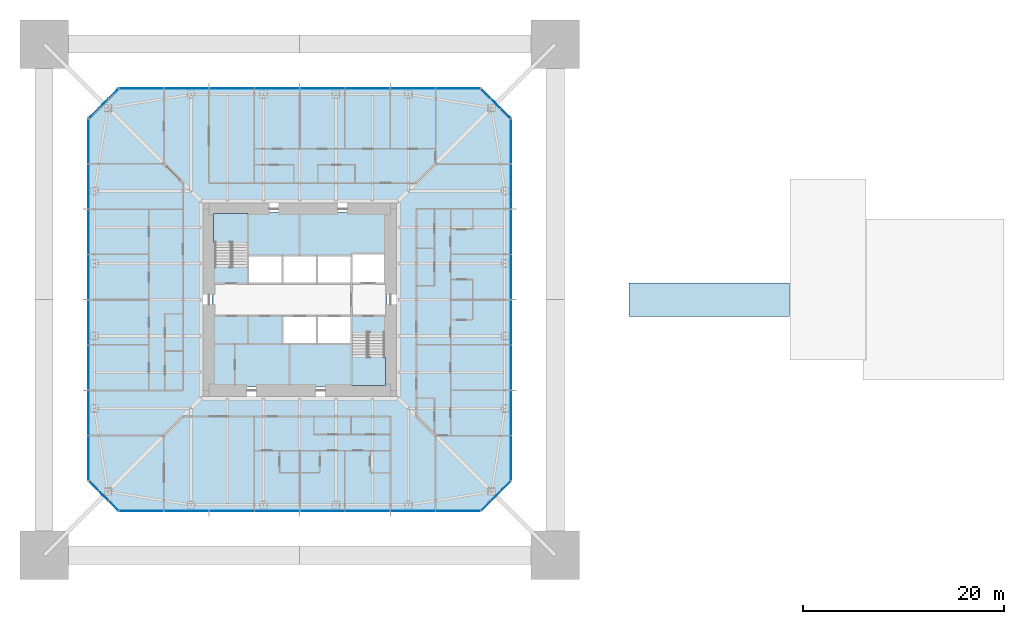
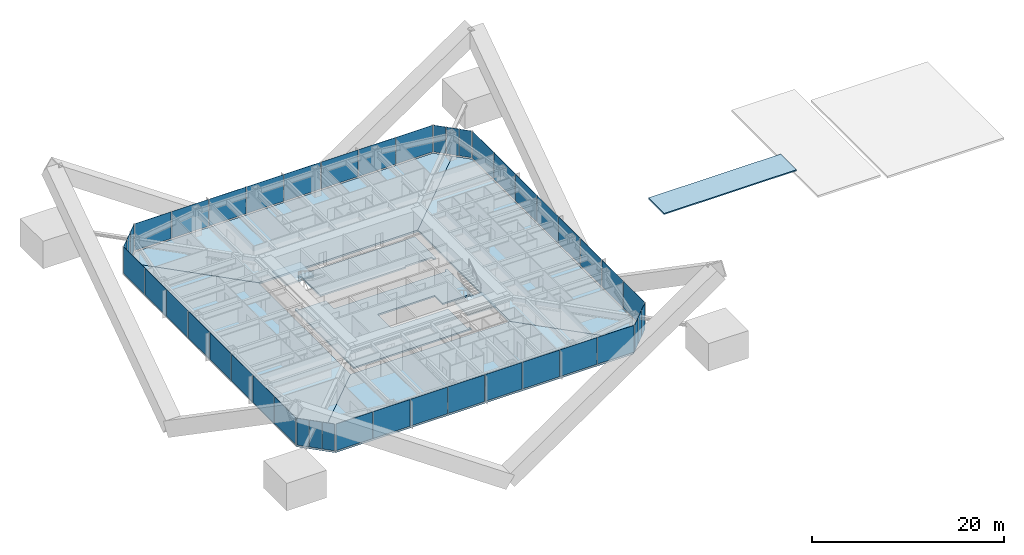
# One storey, part 8 of 17: 44 plates, 9 slabs, 10 elements without a shape of their own.
"""IFC4 building model written with IfcOpenShell, lengths in metres."""

from ifc_helpers import new_model, si_unit, direction, frame, origin, origin_2d, place, context, subcontext, project, spatial, polyline, rectangle, outline, extrude, material, layer, layer_set, constituent, constituent_set, type_object, element, aggregate, save


model = new_model("IFC4")

# Units and contexts
model_context = context("Model", 3, precision=1e-05, world=origin(), true_north=direction((0.0, 1.0)))
body_context = subcontext(model_context, "Body", "Model", "MODEL_VIEW")
ifc_project = project(units=[si_unit("LENGTHUNIT", "METRE"), si_unit("AREAUNIT", "SQUARE_METRE"), si_unit("VOLUMEUNIT", "CUBIC_METRE"), si_unit("PLANEANGLEUNIT", "RADIAN"), si_unit("MASSUNIT", "GRAM", prefix="KILO")], contexts=[model_context])

# Site, building, storey
site_placement = place(None, origin())
site = spatial("IfcSite", under=ifc_project, at=site_placement, CompositionType="ELEMENT")
building_placement = place(site_placement, origin())
building = spatial("IfcBuilding", under=site, at=building_placement, Name="Iwan Alto Co-Living Towers", CompositionType="ELEMENT")
storey_placement = place(building_placement, frame((0.0, 0.0, 133.0)))
storey = spatial("IfcBuildingStorey", under=building, at=storey_placement, Name="L36", CompositionType="ELEMENT", Elevation=133.0)

# Slabs
ifc_material_1 = material(Name="Concrete f'c 30 MPa", Category="concrete")
ifc_layer_1 = layer(ifc_material_1, 0.14990234375)
ifc_layer_set_1 = layer_set([ifc_layer_1], Name="BRIDGE ROOF SLAB 150")
slab_type_1 = type_object("IfcSlabType", Name="BRIDGE ROOF SLAB 150", PredefinedType="ROOF", material=ifc_layer_set_1)
slab_1_placement = place(storey_placement, frame((0.0, 0.0, 0.653564453125)))
element("IfcSlab", 1, at=slab_1_placement, inside=storey, type_object=slab_type_1, Name="Skybridge BR2 roof", PredefinedType="ROOF", context=body_context, shape_type="SweptSolid", body=[
    extrude(outline(polyline([(32.75, -1.64990234375), (48.699951171875, -1.64990234375), (48.699951171875, 1.64990234375), (32.75, 1.64990234375), (32.75, -1.64990234375)])), origin(), (0.0, 0.0, 1.0), 0.150146484375),
])
ifc_material_2 = material(Name="Concrete f'c 30 MPa", Category="concrete")
ifc_layer_2 = layer(ifc_material_2, 0.199951171875)
ifc_layer_set_2 = layer_set([ifc_layer_2], Name="CORE FLOOR SLAB 200")
slab_type_2 = type_object("IfcSlabType", Name="CORE FLOOR SLAB 200", PredefinedType="FLOOR", material=ifc_layer_set_2)
slab_2_placement = place(storey_placement, frame((0.0, 0.0, -0.199951171875)))
element("IfcSlab", 2, at=slab_2_placement, inside=storey, type_object=slab_type_2, Name="T1 core floor L36", PredefinedType="FLOOR", context=body_context, shape_type="SweptSolid", body=[
    extrude(outline(polyline([(5.14990234375, -1.60009765625), (1.72509765625, -1.60009765625), (-1.699951171875, -1.60009765625), (-1.699951171875, -4.39990234375), (1.72509765625, -4.39990234375), (5.14990234375, -4.39990234375), (5.14990234375, -8.39990234375), (5.4599609375, -8.39990234375), (5.4599609375, -8.699951171875), (-8.699951171875, -8.699951171875), (-8.699951171875, 3.580078125), (-8.39990234375, 3.580078125), (-8.39990234375, 3.27001953125), (-5.14990234375, 3.27001953125), (-5.14990234375, 1.60009765625), (-1.717041015625, 1.60009765625), (1.717041015625, 1.60009765625), (5.14990234375, 1.60009765625), (8.39990234375, 1.60009765625), (8.39990234375, 1.909912109375), (8.699951171875, 1.909912109375), (8.699951171875, -3.580078125), (8.39990234375, -3.580078125), (8.39990234375, -3.27001953125), (5.14990234375, -3.27001953125), (5.14990234375, -1.60009765625)])), origin(), (0.0, 0.0, 1.0), 0.199951171875),
])
slab_3_placement = place(storey_placement, frame((0.0, 0.0, -0.199951171875)))
element("IfcSlab", 3, at=slab_3_placement, inside=storey, type_object=slab_type_2, Name="T1 core floor L36", PredefinedType="FLOOR", context=body_context, shape_type="SweptSolid", body=[
    extrude(outline(polyline([(1.717041015625, 4.39990234375), (-1.717041015625, 4.39990234375), (-5.14990234375, 4.39990234375), (-5.14990234375, 8.39990234375), (-5.4599609375, 8.39990234375), (-5.4599609375, 8.699951171875), (8.699951171875, 8.699951171875), (8.699951171875, 4.2900390625), (8.39990234375, 4.2900390625), (8.39990234375, 4.60009765625), (5.14990234375, 4.60009765625), (5.14990234375, 4.39990234375), (1.717041015625, 4.39990234375)])), origin(), (0.0, 0.0, 1.0), 0.199951171875),
])

# Curtain wall, plates
ifc_material_3 = material(Name="Bronze aluminium unitised frame", Category="aluminium")
curtain_wall_type_1 = type_object("IfcCurtainWallType", Name="CURTAIN WALL CW-A", PredefinedType="NOTDEFINED", material=ifc_material_3)
curtain_wall_1_placement = place(storey_placement, origin())
curtain_wall_1 = element("IfcCurtainWall", 4, at=curtain_wall_1_placement, inside=storey, type_object=curtain_wall_type_1, Name="T1 curtain wall S L36", PredefinedType="NOTDEFINED")
ifc_material_4 = material(Name="Bronze-tinted insulating glass", Category="glass")
ifc_layer_3 = layer(ifc_material_4, 0.031982421875)
ifc_layer_set_3 = layer_set([ifc_layer_3], Name="CW-A PANEL TINTED IGU 32")
plate_type_1 = type_object("IfcPlateType", Name="CW-A PANEL TINTED IGU 32", PredefinedType="CURTAIN_PANEL", material=ifc_layer_set_3)
plate_1_placement = place(storey_placement, frame((-15.72998046875, -21.0, 0.10009765625), z_axis=(0.0, 0.0, 1.0), x_axis=(1.0, 0.0, 0.0)))
plate_1 = element("IfcPlate", 5, at=plate_1_placement, type_object=plate_type_1, Name="CW-A panel 1.1", PredefinedType="CURTAIN_PANEL", context=body_context, shape_type="SweptSolid", body=[
    extrude(rectangle(XDim=4.3798828125, YDim=0.031982421875, at=origin_2d()), origin(), (0.0, 0.0, 1.0), 3.39990234375),
])
plate_2_placement = place(storey_placement, frame((-11.25, -21.0, 0.10009765625), z_axis=(0.0, 0.0, 1.0), x_axis=(1.0, 0.0, 0.0)))
plate_2 = element("IfcPlate", 6, at=plate_2_placement, type_object=plate_type_1, Name="CW-A panel 2.1", PredefinedType="CURTAIN_PANEL", context=body_context, shape_type="SweptSolid", body=[
    extrude(rectangle(XDim=4.419921875, YDim=0.031982421875, at=origin_2d()), origin(), (0.0, 0.0, 1.0), 3.39990234375),
])
plate_3_placement = place(storey_placement, frame((-6.75, -21.0, 0.10009765625), z_axis=(0.0, 0.0, 1.0), x_axis=(1.0, 0.0, 0.0)))
plate_3 = element("IfcPlate", 7, at=plate_3_placement, type_object=plate_type_1, Name="CW-A panel 3.1", PredefinedType="CURTAIN_PANEL", context=body_context, shape_type="SweptSolid", body=[
    extrude(rectangle(XDim=4.419921875, YDim=0.031982421875, at=origin_2d()), origin(), (0.0, 0.0, 1.0), 3.39990234375),
])
plate_4_placement = place(storey_placement, frame((-2.25, -21.0, 0.10009765625), z_axis=(0.0, 0.0, 1.0), x_axis=(1.0, 0.0, 0.0)))
plate_4 = element("IfcPlate", 8, at=plate_4_placement, type_object=plate_type_1, Name="CW-A panel 4.1", PredefinedType="CURTAIN_PANEL", context=body_context, shape_type="SweptSolid", body=[
    extrude(rectangle(XDim=4.419921875, YDim=0.031982421875, at=origin_2d()), origin(), (0.0, 0.0, 1.0), 3.39990234375),
])
plate_5_placement = place(storey_placement, frame((2.25, -21.0, 0.10009765625), z_axis=(0.0, 0.0, 1.0), x_axis=(1.0, 0.0, 0.0)))
plate_5 = element("IfcPlate", 9, at=plate_5_placement, type_object=plate_type_1, Name="CW-A panel 5.1", PredefinedType="CURTAIN_PANEL", context=body_context, shape_type="SweptSolid", body=[
    extrude(rectangle(XDim=4.419921875, YDim=0.031982421875, at=origin_2d()), origin(), (0.0, 0.0, 1.0), 3.39990234375),
])
plate_6_placement = place(storey_placement, frame((6.75, -21.0, 0.10009765625), z_axis=(0.0, 0.0, 1.0), x_axis=(1.0, 0.0, 0.0)))
plate_6 = element("IfcPlate", 10, at=plate_6_placement, type_object=plate_type_1, Name="CW-A panel 6.1", PredefinedType="CURTAIN_PANEL", context=body_context, shape_type="SweptSolid", body=[
    extrude(rectangle(XDim=4.419921875, YDim=0.031982421875, at=origin_2d()), origin(), (0.0, 0.0, 1.0), 3.39990234375),
])
plate_7_placement = place(storey_placement, frame((11.25, -21.0, 0.10009765625), z_axis=(0.0, 0.0, 1.0), x_axis=(1.0, 0.0, 0.0)))
plate_7 = element("IfcPlate", 11, at=plate_7_placement, type_object=plate_type_1, Name="CW-A panel 7.1", PredefinedType="CURTAIN_PANEL", context=body_context, shape_type="SweptSolid", body=[
    extrude(rectangle(XDim=4.419921875, YDim=0.031982421875, at=origin_2d()), origin(), (0.0, 0.0, 1.0), 3.39990234375),
])
plate_8_placement = place(storey_placement, frame((15.72998046875, -21.0, 0.10009765625), z_axis=(0.0, 0.0, 1.0), x_axis=(1.0, 0.0, 0.0)))
plate_8 = element("IfcPlate", 12, at=plate_8_placement, type_object=plate_type_1, Name="CW-A panel 8.1", PredefinedType="CURTAIN_PANEL", context=body_context, shape_type="SweptSolid", body=[
    extrude(rectangle(XDim=4.3798828125, YDim=0.031982421875, at=origin_2d()), origin(), (0.0, 0.0, 1.0), 3.39990234375),
])
aggregate(curtain_wall_1, [plate_1, plate_2, plate_3, plate_4, plate_5, plate_6, plate_7, plate_8])

curtain_wall_2_placement = place(storey_placement, origin())
curtain_wall_2 = element("IfcCurtainWall", 13, at=curtain_wall_2_placement, inside=storey, type_object=curtain_wall_type_1, Name="T1 curtain wall E L36", PredefinedType="NOTDEFINED")
plate_9_placement = place(storey_placement, frame((21.0, -15.72998046875, 0.10009765625), z_axis=(0.0, 0.0, 1.0), x_axis=(0.0, 1.0, 0.0)))
plate_9 = element("IfcPlate", 14, at=plate_9_placement, type_object=plate_type_1, Name="CW-A panel 1.1", PredefinedType="CURTAIN_PANEL", context=body_context, shape_type="SweptSolid", body=[
    extrude(rectangle(XDim=4.3798828125, YDim=0.031982421875, at=origin_2d()), origin(), (0.0, 0.0, 1.0), 3.39990234375),
])
plate_10_placement = place(storey_placement, frame((21.0, -11.25, 0.10009765625), z_axis=(0.0, 0.0, 1.0), x_axis=(0.0, 1.0, 0.0)))
plate_10 = element("IfcPlate", 15, at=plate_10_placement, type_object=plate_type_1, Name="CW-A panel 2.1", PredefinedType="CURTAIN_PANEL", context=body_context, shape_type="SweptSolid", body=[
    extrude(rectangle(XDim=4.419921875, YDim=0.031982421875, at=origin_2d()), origin(), (0.0, 0.0, 1.0), 3.39990234375),
])
plate_11_placement = place(storey_placement, frame((21.0, -6.75, 0.10009765625), z_axis=(0.0, 0.0, 1.0), x_axis=(0.0, 1.0, 0.0)))
plate_11 = element("IfcPlate", 16, at=plate_11_placement, type_object=plate_type_1, Name="CW-A panel 3.1", PredefinedType="CURTAIN_PANEL", context=body_context, shape_type="SweptSolid", body=[
    extrude(rectangle(XDim=4.419921875, YDim=0.031982421875, at=origin_2d()), origin(), (0.0, 0.0, 1.0), 3.39990234375),
])
plate_12_placement = place(storey_placement, frame((21.0, -2.25, 0.10009765625), z_axis=(0.0, 0.0, 1.0), x_axis=(0.0, 1.0, 0.0)))
plate_12 = element("IfcPlate", 17, at=plate_12_placement, type_object=plate_type_1, Name="CW-A panel 4.1", PredefinedType="CURTAIN_PANEL", context=body_context, shape_type="SweptSolid", body=[
    extrude(rectangle(XDim=4.419921875, YDim=0.031982421875, at=origin_2d()), origin(), (0.0, 0.0, 1.0), 3.39990234375),
])
plate_13_placement = place(storey_placement, frame((21.0, 2.25, 0.10009765625), z_axis=(0.0, 0.0, 1.0), x_axis=(0.0, 1.0, 0.0)))
plate_13 = element("IfcPlate", 18, at=plate_13_placement, type_object=plate_type_1, Name="CW-A panel 5.1", PredefinedType="CURTAIN_PANEL", context=body_context, shape_type="SweptSolid", body=[
    extrude(rectangle(XDim=4.419921875, YDim=0.031982421875, at=origin_2d()), origin(), (0.0, 0.0, 1.0), 3.39990234375),
])
plate_14_placement = place(storey_placement, frame((21.0, 6.75, 0.10009765625), z_axis=(0.0, 0.0, 1.0), x_axis=(0.0, 1.0, 0.0)))
plate_14 = element("IfcPlate", 19, at=plate_14_placement, type_object=plate_type_1, Name="CW-A panel 6.1", PredefinedType="CURTAIN_PANEL", context=body_context, shape_type="SweptSolid", body=[
    extrude(rectangle(XDim=4.419921875, YDim=0.031982421875, at=origin_2d()), origin(), (0.0, 0.0, 1.0), 3.39990234375),
])
plate_15_placement = place(storey_placement, frame((21.0, 11.25, 0.10009765625), z_axis=(0.0, 0.0, 1.0), x_axis=(0.0, 1.0, 0.0)))
plate_15 = element("IfcPlate", 20, at=plate_15_placement, type_object=plate_type_1, Name="CW-A panel 7.1", PredefinedType="CURTAIN_PANEL", context=body_context, shape_type="SweptSolid", body=[
    extrude(rectangle(XDim=4.419921875, YDim=0.031982421875, at=origin_2d()), origin(), (0.0, 0.0, 1.0), 3.39990234375),
])
plate_16_placement = place(storey_placement, frame((21.0, 15.72998046875, 0.10009765625), z_axis=(0.0, 0.0, 1.0), x_axis=(0.0, 1.0, 0.0)))
plate_16 = element("IfcPlate", 21, at=plate_16_placement, type_object=plate_type_1, Name="CW-A panel 8.1", PredefinedType="CURTAIN_PANEL", context=body_context, shape_type="SweptSolid", body=[
    extrude(rectangle(XDim=4.3798828125, YDim=0.031982421875, at=origin_2d()), origin(), (0.0, 0.0, 1.0), 3.39990234375),
])
aggregate(curtain_wall_2, [plate_9, plate_10, plate_11, plate_12, plate_13, plate_14, plate_15, plate_16])

curtain_wall_3_placement = place(storey_placement, origin())
curtain_wall_3 = element("IfcCurtainWall", 22, at=curtain_wall_3_placement, inside=storey, type_object=curtain_wall_type_1, Name="T1 curtain wall N L36", PredefinedType="NOTDEFINED")
plate_17_placement = place(storey_placement, frame((15.72998046875, 21.0, 0.10009765625), z_axis=(0.0, 0.0, 1.0), x_axis=(-1.0, 0.0, 0.0)))
plate_17 = element("IfcPlate", 23, at=plate_17_placement, type_object=plate_type_1, Name="CW-A panel 1.1", PredefinedType="CURTAIN_PANEL", context=body_context, shape_type="SweptSolid", body=[
    extrude(rectangle(XDim=4.3798828125, YDim=0.031982421875, at=origin_2d()), origin(), (0.0, 0.0, 1.0), 3.39990234375),
])
plate_18_placement = place(storey_placement, frame((11.25, 21.0, 0.10009765625), z_axis=(0.0, 0.0, 1.0), x_axis=(-1.0, 0.0, 0.0)))
plate_18 = element("IfcPlate", 24, at=plate_18_placement, type_object=plate_type_1, Name="CW-A panel 2.1", PredefinedType="CURTAIN_PANEL", context=body_context, shape_type="SweptSolid", body=[
    extrude(rectangle(XDim=4.419921875, YDim=0.031982421875, at=origin_2d()), origin(), (0.0, 0.0, 1.0), 3.39990234375),
])
plate_19_placement = place(storey_placement, frame((6.75, 21.0, 0.10009765625), z_axis=(0.0, 0.0, 1.0), x_axis=(-1.0, 0.0, 0.0)))
plate_19 = element("IfcPlate", 25, at=plate_19_placement, type_object=plate_type_1, Name="CW-A panel 3.1", PredefinedType="CURTAIN_PANEL", context=body_context, shape_type="SweptSolid", body=[
    extrude(rectangle(XDim=4.419921875, YDim=0.031982421875, at=origin_2d()), origin(), (0.0, 0.0, 1.0), 3.39990234375),
])
plate_20_placement = place(storey_placement, frame((2.25, 21.0, 0.10009765625), z_axis=(0.0, 0.0, 1.0), x_axis=(-1.0, 0.0, 0.0)))
plate_20 = element("IfcPlate", 26, at=plate_20_placement, type_object=plate_type_1, Name="CW-A panel 4.1", PredefinedType="CURTAIN_PANEL", context=body_context, shape_type="SweptSolid", body=[
    extrude(rectangle(XDim=4.419921875, YDim=0.031982421875, at=origin_2d()), origin(), (0.0, 0.0, 1.0), 3.39990234375),
])
plate_21_placement = place(storey_placement, frame((-2.25, 21.0, 0.10009765625), z_axis=(0.0, 0.0, 1.0), x_axis=(-1.0, 0.0, 0.0)))
plate_21 = element("IfcPlate", 27, at=plate_21_placement, type_object=plate_type_1, Name="CW-A panel 5.1", PredefinedType="CURTAIN_PANEL", context=body_context, shape_type="SweptSolid", body=[
    extrude(rectangle(XDim=4.419921875, YDim=0.031982421875, at=origin_2d()), origin(), (0.0, 0.0, 1.0), 3.39990234375),
])
plate_22_placement = place(storey_placement, frame((-6.75, 21.0, 0.10009765625), z_axis=(0.0, 0.0, 1.0), x_axis=(-1.0, 0.0, 0.0)))
plate_22 = element("IfcPlate", 28, at=plate_22_placement, type_object=plate_type_1, Name="CW-A panel 6.1", PredefinedType="CURTAIN_PANEL", context=body_context, shape_type="SweptSolid", body=[
    extrude(rectangle(XDim=4.419921875, YDim=0.031982421875, at=origin_2d()), origin(), (0.0, 0.0, 1.0), 3.39990234375),
])
plate_23_placement = place(storey_placement, frame((-11.25, 21.0, 0.10009765625), z_axis=(0.0, 0.0, 1.0), x_axis=(-1.0, 0.0, 0.0)))
plate_23 = element("IfcPlate", 29, at=plate_23_placement, type_object=plate_type_1, Name="CW-A panel 7.1", PredefinedType="CURTAIN_PANEL", context=body_context, shape_type="SweptSolid", body=[
    extrude(rectangle(XDim=4.419921875, YDim=0.031982421875, at=origin_2d()), origin(), (0.0, 0.0, 1.0), 3.39990234375),
])
plate_24_placement = place(storey_placement, frame((-15.72998046875, 21.0, 0.10009765625), z_axis=(0.0, 0.0, 1.0), x_axis=(-1.0, 0.0, 0.0)))
plate_24 = element("IfcPlate", 30, at=plate_24_placement, type_object=plate_type_1, Name="CW-A panel 8.1", PredefinedType="CURTAIN_PANEL", context=body_context, shape_type="SweptSolid", body=[
    extrude(rectangle(XDim=4.3798828125, YDim=0.031982421875, at=origin_2d()), origin(), (0.0, 0.0, 1.0), 3.39990234375),
])
aggregate(curtain_wall_3, [plate_17, plate_18, plate_19, plate_20, plate_21, plate_22, plate_23, plate_24])

curtain_wall_4_placement = place(storey_placement, origin())
curtain_wall_4 = element("IfcCurtainWall", 31, at=curtain_wall_4_placement, inside=storey, type_object=curtain_wall_type_1, Name="T1 curtain wall W L36", PredefinedType="NOTDEFINED")
plate_25_placement = place(storey_placement, frame((-21.0, 15.72998046875, 0.10009765625), z_axis=(0.0, 0.0, 1.0), x_axis=(0.0, -1.0, 0.0)))
plate_25 = element("IfcPlate", 32, at=plate_25_placement, type_object=plate_type_1, Name="CW-A panel 1.1", PredefinedType="CURTAIN_PANEL", context=body_context, shape_type="SweptSolid", body=[
    extrude(rectangle(XDim=4.3798828125, YDim=0.031982421875, at=origin_2d()), origin(), (0.0, 0.0, 1.0), 3.39990234375),
])
plate_26_placement = place(storey_placement, frame((-21.0, 11.25, 0.10009765625), z_axis=(0.0, 0.0, 1.0), x_axis=(0.0, -1.0, 0.0)))
plate_26 = element("IfcPlate", 33, at=plate_26_placement, type_object=plate_type_1, Name="CW-A panel 2.1", PredefinedType="CURTAIN_PANEL", context=body_context, shape_type="SweptSolid", body=[
    extrude(rectangle(XDim=4.419921875, YDim=0.031982421875, at=origin_2d()), origin(), (0.0, 0.0, 1.0), 3.39990234375),
])
plate_27_placement = place(storey_placement, frame((-21.0, 6.75, 0.10009765625), z_axis=(0.0, 0.0, 1.0), x_axis=(0.0, -1.0, 0.0)))
plate_27 = element("IfcPlate", 34, at=plate_27_placement, type_object=plate_type_1, Name="CW-A panel 3.1", PredefinedType="CURTAIN_PANEL", context=body_context, shape_type="SweptSolid", body=[
    extrude(rectangle(XDim=4.419921875, YDim=0.031982421875, at=origin_2d()), origin(), (0.0, 0.0, 1.0), 3.39990234375),
])
plate_28_placement = place(storey_placement, frame((-21.0, 2.25, 0.10009765625), z_axis=(0.0, 0.0, 1.0), x_axis=(0.0, -1.0, 0.0)))
plate_28 = element("IfcPlate", 35, at=plate_28_placement, type_object=plate_type_1, Name="CW-A panel 4.1", PredefinedType="CURTAIN_PANEL", context=body_context, shape_type="SweptSolid", body=[
    extrude(rectangle(XDim=4.419921875, YDim=0.031982421875, at=origin_2d()), origin(), (0.0, 0.0, 1.0), 3.39990234375),
])
plate_29_placement = place(storey_placement, frame((-21.0, -2.25, 0.10009765625), z_axis=(0.0, 0.0, 1.0), x_axis=(0.0, -1.0, 0.0)))
plate_29 = element("IfcPlate", 36, at=plate_29_placement, type_object=plate_type_1, Name="CW-A panel 5.1", PredefinedType="CURTAIN_PANEL", context=body_context, shape_type="SweptSolid", body=[
    extrude(rectangle(XDim=4.419921875, YDim=0.031982421875, at=origin_2d()), origin(), (0.0, 0.0, 1.0), 3.39990234375),
])
plate_30_placement = place(storey_placement, frame((-21.0, -6.75, 0.10009765625), z_axis=(0.0, 0.0, 1.0), x_axis=(0.0, -1.0, 0.0)))
plate_30 = element("IfcPlate", 37, at=plate_30_placement, type_object=plate_type_1, Name="CW-A panel 6.1", PredefinedType="CURTAIN_PANEL", context=body_context, shape_type="SweptSolid", body=[
    extrude(rectangle(XDim=4.419921875, YDim=0.031982421875, at=origin_2d()), origin(), (0.0, 0.0, 1.0), 3.39990234375),
])
plate_31_placement = place(storey_placement, frame((-21.0, -11.25, 0.10009765625), z_axis=(0.0, 0.0, 1.0), x_axis=(0.0, -1.0, 0.0)))
plate_31 = element("IfcPlate", 38, at=plate_31_placement, type_object=plate_type_1, Name="CW-A panel 7.1", PredefinedType="CURTAIN_PANEL", context=body_context, shape_type="SweptSolid", body=[
    extrude(rectangle(XDim=4.419921875, YDim=0.031982421875, at=origin_2d()), origin(), (0.0, 0.0, 1.0), 3.39990234375),
])
plate_32_placement = place(storey_placement, frame((-21.0, -15.72998046875, 0.10009765625), z_axis=(0.0, 0.0, 1.0), x_axis=(0.0, -1.0, 0.0)))
plate_32 = element("IfcPlate", 39, at=plate_32_placement, type_object=plate_type_1, Name="CW-A panel 8.1", PredefinedType="CURTAIN_PANEL", context=body_context, shape_type="SweptSolid", body=[
    extrude(rectangle(XDim=4.3798828125, YDim=0.031982421875, at=origin_2d()), origin(), (0.0, 0.0, 1.0), 3.39990234375),
])
aggregate(curtain_wall_4, [plate_25, plate_26, plate_27, plate_28, plate_29, plate_30, plate_31, plate_32])

ifc_material_5 = material(Name="Bronze aluminium unitised frame", Category="aluminium")
curtain_wall_type_2 = type_object("IfcCurtainWallType", Name="CURTAIN WALL CW-B", PredefinedType="NOTDEFINED", material=ifc_material_5)
curtain_wall_5_placement = place(storey_placement, origin())
curtain_wall_5 = element("IfcCurtainWall", 40, at=curtain_wall_5_placement, inside=storey, type_object=curtain_wall_type_2, Name="T1 chamfer curtain wall SE L36", PredefinedType="NOTDEFINED")
ifc_material_6 = material(Name="Bronze-tinted insulating glass", Category="glass")
ifc_layer_4 = layer(ifc_material_6, 0.031982421875)
ifc_layer_set_4 = layer_set([ifc_layer_4], Name="CW-B PANEL TINTED IGU 32")
plate_type_2 = type_object("IfcPlateType", Name="CW-B PANEL TINTED IGU 32", PredefinedType="CURTAIN_PANEL", material=ifc_layer_set_4)
plate_33_placement = place(storey_placement, frame((18.51416015625, -20.48583984375, 0.10009765625), z_axis=(0.0, 0.0, 1.0), x_axis=(0.707106781187, 0.707106781187, 0.0)))
plate_33 = element("IfcPlate", 41, at=plate_33_placement, type_object=plate_type_2, Name="CW-B panel 1.1", PredefinedType="CURTAIN_PANEL", context=body_context, shape_type="SweptSolid", body=[
    extrude(rectangle(XDim=1.294189453125, YDim=0.031982421875, at=origin_2d()), origin(), (0.0, 0.0, 1.0), 3.39990234375),
])
plate_34_placement = place(storey_placement, frame((19.5, -19.5, 0.10009765625), z_axis=(0.0, 0.0, 1.0), x_axis=(0.707106781187, 0.707106781187, 0.0)))
plate_34 = element("IfcPlate", 42, at=plate_34_placement, type_object=plate_type_2, Name="CW-B panel 2.1", PredefinedType="CURTAIN_PANEL", context=body_context, shape_type="SweptSolid", body=[
    extrude(rectangle(XDim=1.334228515625, YDim=0.031982421875, at=origin_2d()), origin(), (0.0, 0.0, 1.0), 3.39990234375),
])
plate_35_placement = place(storey_placement, frame((20.48583984375, -18.51416015625, 0.10009765625), z_axis=(0.0, 0.0, 1.0), x_axis=(0.707106781187, 0.707106781187, 0.0)))
plate_35 = element("IfcPlate", 43, at=plate_35_placement, type_object=plate_type_2, Name="CW-B panel 3.1", PredefinedType="CURTAIN_PANEL", context=body_context, shape_type="SweptSolid", body=[
    extrude(rectangle(XDim=1.294189453125, YDim=0.031982421875, at=origin_2d()), origin(), (0.0, 0.0, 1.0), 3.39990234375),
])
aggregate(curtain_wall_5, [plate_33, plate_34, plate_35])

curtain_wall_6_placement = place(storey_placement, origin())
curtain_wall_6 = element("IfcCurtainWall", 44, at=curtain_wall_6_placement, inside=storey, type_object=curtain_wall_type_2, Name="T1 chamfer curtain wall NE L36", PredefinedType="NOTDEFINED")
plate_36_placement = place(storey_placement, frame((20.48583984375, 18.51416015625, 0.10009765625), z_axis=(0.0, 0.0, 1.0), x_axis=(-0.707106781187, 0.707106781187, 0.0)))
plate_36 = element("IfcPlate", 45, at=plate_36_placement, type_object=plate_type_2, Name="CW-B panel 1.1", PredefinedType="CURTAIN_PANEL", context=body_context, shape_type="SweptSolid", body=[
    extrude(rectangle(XDim=1.294189453125, YDim=0.031982421875, at=origin_2d()), origin(), (0.0, 0.0, 1.0), 3.39990234375),
])
plate_37_placement = place(storey_placement, frame((19.5, 19.5, 0.10009765625), z_axis=(0.0, 0.0, 1.0), x_axis=(-0.707106781187, 0.707106781187, 0.0)))
plate_37 = element("IfcPlate", 46, at=plate_37_placement, type_object=plate_type_2, Name="CW-B panel 2.1", PredefinedType="CURTAIN_PANEL", context=body_context, shape_type="SweptSolid", body=[
    extrude(rectangle(XDim=1.334228515625, YDim=0.031982421875, at=origin_2d()), origin(), (0.0, 0.0, 1.0), 3.39990234375),
])
plate_38_placement = place(storey_placement, frame((18.51416015625, 20.48583984375, 0.10009765625), z_axis=(0.0, 0.0, 1.0), x_axis=(-0.707106781187, 0.707106781187, 0.0)))
plate_38 = element("IfcPlate", 47, at=plate_38_placement, type_object=plate_type_2, Name="CW-B panel 3.1", PredefinedType="CURTAIN_PANEL", context=body_context, shape_type="SweptSolid", body=[
    extrude(rectangle(XDim=1.294189453125, YDim=0.031982421875, at=origin_2d()), origin(), (0.0, 0.0, 1.0), 3.39990234375),
])
aggregate(curtain_wall_6, [plate_36, plate_37, plate_38])

curtain_wall_7_placement = place(storey_placement, origin())
curtain_wall_7 = element("IfcCurtainWall", 48, at=curtain_wall_7_placement, inside=storey, type_object=curtain_wall_type_2, Name="T1 chamfer curtain wall NW L36", PredefinedType="NOTDEFINED")
plate_39_placement = place(storey_placement, frame((-18.51416015625, 20.48583984375, 0.10009765625), z_axis=(0.0, 0.0, 1.0), x_axis=(-0.707106781187, -0.707106781187, 0.0)))
plate_39 = element("IfcPlate", 49, at=plate_39_placement, type_object=plate_type_2, Name="CW-B panel 1.1", PredefinedType="CURTAIN_PANEL", context=body_context, shape_type="SweptSolid", body=[
    extrude(rectangle(XDim=1.294189453125, YDim=0.031982421875, at=origin_2d()), origin(), (0.0, 0.0, 1.0), 3.39990234375),
])
plate_40_placement = place(storey_placement, frame((-19.5, 19.5, 0.10009765625), z_axis=(0.0, 0.0, 1.0), x_axis=(-0.707106781187, -0.707106781187, 0.0)))
plate_40 = element("IfcPlate", 50, at=plate_40_placement, type_object=plate_type_2, Name="CW-B panel 2.1", PredefinedType="CURTAIN_PANEL", context=body_context, shape_type="SweptSolid", body=[
    extrude(rectangle(XDim=1.334228515625, YDim=0.031982421875, at=origin_2d()), origin(), (0.0, 0.0, 1.0), 3.39990234375),
])
plate_41_placement = place(storey_placement, frame((-20.48583984375, 18.51416015625, 0.10009765625), z_axis=(0.0, 0.0, 1.0), x_axis=(-0.707106781187, -0.707106781187, 0.0)))
plate_41 = element("IfcPlate", 51, at=plate_41_placement, type_object=plate_type_2, Name="CW-B panel 3.1", PredefinedType="CURTAIN_PANEL", context=body_context, shape_type="SweptSolid", body=[
    extrude(rectangle(XDim=1.294189453125, YDim=0.031982421875, at=origin_2d()), origin(), (0.0, 0.0, 1.0), 3.39990234375),
])
aggregate(curtain_wall_7, [plate_39, plate_40, plate_41])

curtain_wall_8_placement = place(storey_placement, origin())
curtain_wall_8 = element("IfcCurtainWall", 52, at=curtain_wall_8_placement, inside=storey, type_object=curtain_wall_type_2, Name="T1 chamfer curtain wall SW L36", PredefinedType="NOTDEFINED")
plate_42_placement = place(storey_placement, frame((-20.48583984375, -18.51416015625, 0.10009765625), z_axis=(0.0, 0.0, 1.0), x_axis=(0.707106781187, -0.707106781187, 0.0)))
plate_42 = element("IfcPlate", 53, at=plate_42_placement, type_object=plate_type_2, Name="CW-B panel 1.1", PredefinedType="CURTAIN_PANEL", context=body_context, shape_type="SweptSolid", body=[
    extrude(rectangle(XDim=1.294189453125, YDim=0.031982421875, at=origin_2d()), origin(), (0.0, 0.0, 1.0), 3.39990234375),
])
plate_43_placement = place(storey_placement, frame((-19.5, -19.5, 0.10009765625), z_axis=(0.0, 0.0, 1.0), x_axis=(0.707106781187, -0.707106781187, 0.0)))
plate_43 = element("IfcPlate", 54, at=plate_43_placement, type_object=plate_type_2, Name="CW-B panel 2.1", PredefinedType="CURTAIN_PANEL", context=body_context, shape_type="SweptSolid", body=[
    extrude(rectangle(XDim=1.334228515625, YDim=0.031982421875, at=origin_2d()), origin(), (0.0, 0.0, 1.0), 3.39990234375),
])
plate_44_placement = place(storey_placement, frame((-18.51416015625, -20.48583984375, 0.10009765625), z_axis=(0.0, 0.0, 1.0), x_axis=(0.707106781187, -0.707106781187, 0.0)))
plate_44 = element("IfcPlate", 55, at=plate_44_placement, type_object=plate_type_2, Name="CW-B panel 3.1", PredefinedType="CURTAIN_PANEL", context=body_context, shape_type="SweptSolid", body=[
    extrude(rectangle(XDim=1.294189453125, YDim=0.031982421875, at=origin_2d()), origin(), (0.0, 0.0, 1.0), 3.39990234375),
])
aggregate(curtain_wall_8, [plate_42, plate_43, plate_44])

# Stair, slab
ifc_material_7 = material(Name="Steel ASTM A36", Category="steel")
ifc_constituent_1 = constituent(ifc_material_7, Name="Stringers", Category="LoadBearing")
ifc_material_8 = material(Name="Concrete f'c 30 MPa", Category="concrete")
ifc_constituent_2 = constituent(ifc_material_8, Name="Tread fill", Category="Finish")
ifc_constituent_set = constituent_set(constituents=[ifc_constituent_1, ifc_constituent_2], Name="STAIR 3500 TWO-FLIGHT T1 CORE")
stair_type = type_object("IfcStairType", Name="STAIR 3500 TWO-FLIGHT T1 CORE", PredefinedType="HALF_TURN_STAIR", material=ifc_constituent_set)
stair_1_placement = place(storey_placement, origin())
stair_1 = element("IfcStair", 56, at=stair_1_placement, inside=storey, type_object=stair_type, Name="Stair T1-S1 L36 to L37", PredefinedType="HALF_TURN_STAIR")
ifc_material_9 = material(Name="Concrete f'c 30 MPa", Category="concrete")
ifc_layer_5 = layer(ifc_material_9, 0.199951171875)
ifc_layer_set_5 = layer_set([ifc_layer_5], Name="STAIR LANDING 200")
slab_type_3 = type_object("IfcSlabType", Name="STAIR LANDING 200", PredefinedType="LANDING", material=ifc_layer_set_5)
slab_4_placement = place(storey_placement, frame((0.0, 0.0, 1.550048828125)))
slab_4 = element("IfcSlab", 57, at=slab_4_placement, type_object=slab_type_3, Name="T1-S1 landing 1", PredefinedType="LANDING", context=body_context, shape_type="SweptSolid", body=[
    extrude(outline(polyline([(-8.550048828125, 5.68994140625), (-8.550048828125, 8.550048828125), (-5.14990234375, 8.550048828125), (-5.14990234375, 5.68994140625), (-8.550048828125, 5.68994140625)])), origin(), (0.0, 0.0, 1.0), 0.199951171875),
])
aggregate(stair_1, [slab_4])

stair_2_placement = place(storey_placement, origin())
stair_2 = element("IfcStair", 58, at=stair_2_placement, inside=storey, type_object=stair_type, Name="Stair T1-S2 L36 to L37", PredefinedType="HALF_TURN_STAIR")
slab_5_placement = place(storey_placement, frame((0.0, 0.0, 1.550048828125)))
slab_5 = element("IfcSlab", 59, at=slab_5_placement, type_object=slab_type_3, Name="T1-S2 landing 1", PredefinedType="LANDING", context=body_context, shape_type="SweptSolid", body=[
    extrude(outline(polyline([(5.14990234375, -5.68994140625), (5.14990234375, -8.550048828125), (8.550048828125, -8.550048828125), (8.550048828125, -5.68994140625), (5.14990234375, -5.68994140625)])), origin(), (0.0, 0.0, 1.0), 0.199951171875),
])
aggregate(stair_2, [slab_5])

# Slabs
ifc_material_10 = material(Name="Concrete f'c 30 MPa", Category="concrete")
ifc_layer_6 = layer(ifc_material_10, 0.22998046875)
ifc_layer_set_6 = layer_set([ifc_layer_6], Name="T1 FLOOR SLAB 230")
slab_type_4 = type_object("IfcSlabType", Name="T1 FLOOR SLAB 230", PredefinedType="FLOOR", material=ifc_layer_set_6)
slab_6_placement = place(storey_placement, frame((0.0, 0.0, -0.22998046875)))
element("IfcSlab", 60, at=slab_6_placement, inside=storey, type_object=slab_type_4, Name="T1 floor slab L36 S pour", PredefinedType="FLOOR", context=body_context, shape_type="SweptSolid", body=[
    extrude(outline(polyline([(17.94140625, -20.89990234375), (-17.94140625, -20.89990234375), (-19.420654296875, -19.420654296875), (-9.60009765625, -9.60009765625), (9.60009765625, -9.60009765625), (19.420654296875, -19.420654296875), (17.94140625, -20.89990234375)])), origin(), (0.0, 0.0, 1.0), 0.22998046875),
])
slab_7_placement = place(storey_placement, frame((0.0, 0.0, -0.22998046875)))
element("IfcSlab", 61, at=slab_7_placement, inside=storey, type_object=slab_type_4, Name="T1 floor slab L36 E pour", PredefinedType="FLOOR", context=body_context, shape_type="SweptSolid", body=[
    extrude(outline(polyline([(20.89990234375, 17.94140625), (20.89990234375, -17.94140625), (19.420654296875, -19.420654296875), (9.60009765625, -9.60009765625), (9.60009765625, 9.60009765625), (19.420654296875, 19.420654296875), (20.89990234375, 17.94140625)])), origin(), (0.0, 0.0, 1.0), 0.22998046875),
])
slab_8_placement = place(storey_placement, frame((0.0, 0.0, -0.22998046875)))
element("IfcSlab", 62, at=slab_8_placement, inside=storey, type_object=slab_type_4, Name="T1 floor slab L36 N pour", PredefinedType="FLOOR", context=body_context, shape_type="SweptSolid", body=[
    extrude(outline(polyline([(-17.94140625, 20.89990234375), (17.94140625, 20.89990234375), (19.420654296875, 19.420654296875), (9.60009765625, 9.60009765625), (-9.60009765625, 9.60009765625), (-19.420654296875, 19.420654296875), (-17.94140625, 20.89990234375)])), origin(), (0.0, 0.0, 1.0), 0.22998046875),
])
slab_9_placement = place(storey_placement, frame((0.0, 0.0, -0.22998046875)))
element("IfcSlab", 63, at=slab_9_placement, inside=storey, type_object=slab_type_4, Name="T1 floor slab L36 W pour", PredefinedType="FLOOR", context=body_context, shape_type="SweptSolid", body=[
    extrude(outline(polyline([(-20.89990234375, 17.94140625), (-19.420654296875, 19.420654296875), (-9.60009765625, 9.60009765625), (-9.60009765625, -9.60009765625), (-19.420654296875, -19.420654296875), (-20.89990234375, -17.94140625), (-20.89990234375, 17.94140625)])), origin(), (0.0, 0.0, 1.0), 0.22998046875),
])

save(model, "model.ifc")
